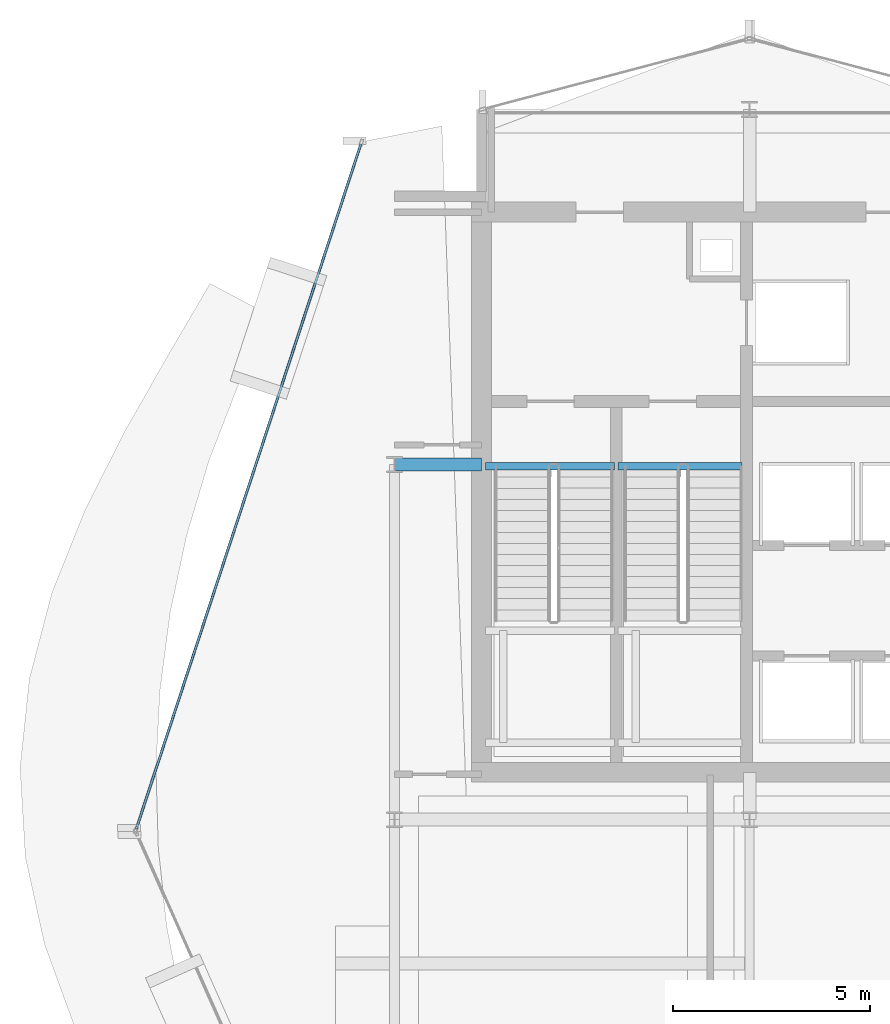
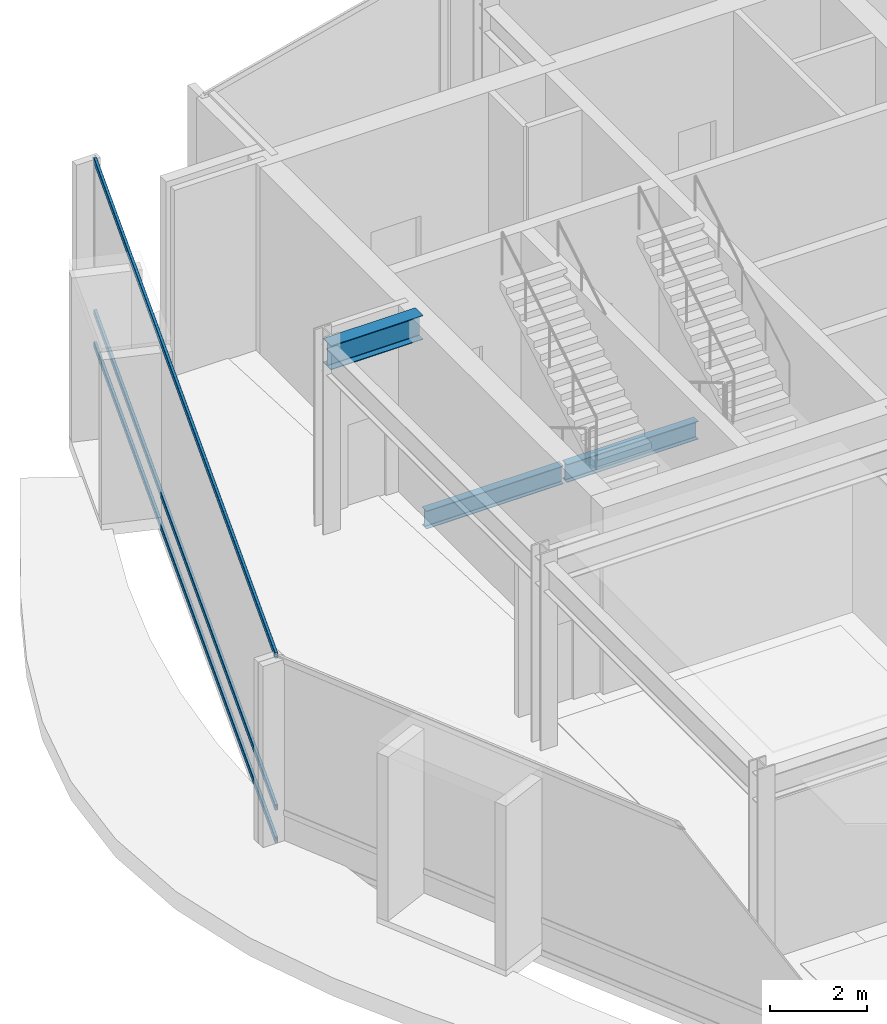
# One storey, part 15 of 28: 3 beams, 3 members, 1 element without a shape of its own.
"""IFC4 building model written with IfcOpenShell, lengths in metres."""

from ifc_helpers import new_model, si_unit, direction, frame, origin, origin_2d, place, context, subcontext, project, spatial, hollow_rectangle, i_section, extrude, material, layer, layer_set, material_profile, profile_set, type_object, element, aggregate, save


model = new_model("IFC4")

# Units and contexts
model_context = context("Model", 3, precision=1e-05, world=origin(), true_north=direction((0.0, 1.0)))
body_context = subcontext(model_context, "Body", "Model", "MODEL_VIEW")
ifc_project = project(units=[si_unit("LENGTHUNIT", "METRE"), si_unit("AREAUNIT", "SQUARE_METRE"), si_unit("VOLUMEUNIT", "CUBIC_METRE"), si_unit("PLANEANGLEUNIT", "RADIAN"), si_unit("MASSUNIT", "GRAM", prefix="KILO")], contexts=[model_context])

# Site, building, storey
site_placement = place(None, origin())
site = spatial("IfcSite", under=ifc_project, at=site_placement, CompositionType="ELEMENT")
building_placement = place(site_placement, origin())
building = spatial("IfcBuilding", under=site, at=building_placement, Name="Solvaryn Broadcast Tower", CompositionType="ELEMENT")
storey_placement = place(building_placement, frame((0.0, 0.0, 201.199951171875)))
storey = spatial("IfcBuildingStorey", under=building, at=storey_placement, Name="L50", CompositionType="ELEMENT", Elevation=201.199951171875)

# Beams
ifc_material_1 = material(Name="Steel ASTM A992 Grade 50", Category="steel")
ifc_material_profile_1 = material_profile(ifc_material_1, i_section(OverallWidth=0.323974609375, OverallDepth=0.611083984375, WebThickness=0.0126953125, FlangeThickness=0.01904296875, FilletRadius=0.014892578125, at=origin_2d()))
ifc_profile_set_1 = profile_set([ifc_material_profile_1], Name="Steel ASTM A992 Grade 50")
beam_type_1 = type_object("IfcBeamType", Name="BM-B1-W24X104", PredefinedType="BEAM", material=ifc_profile_set_1)
beam_1_placement = place(storey_placement, frame((9.0, 36.0, 4.41455078125), z_axis=(1.0, 0.0, 0.0), x_axis=(0.0, 1.0, 0.0)))
element("IfcBeam", 1, at=beam_1_placement, inside=storey, type_object=beam_type_1, Name="L50 Core Tie Beam CTW1", PredefinedType="BEAM", context=body_context, shape_type="SweptSolid", body=[
    extrude(i_section(OverallWidth=0.323974609375, OverallDepth=0.611083984375, WebThickness=0.0126953125, FlangeThickness=0.01904296875, FilletRadius=0.014892578125, at=origin_2d()), origin(), (0.0, 0.0, 1.0), 2.199951171875),
])
ifc_material_2 = material(Name="Steel ASTM A992 Grade 50", Category="steel")
ifc_material_profile_2 = material_profile(ifc_material_2, i_section(OverallWidth=0.18994140625, OverallDepth=0.45703125, WebThickness=0.009033203125, FlangeThickness=0.014404296875, FilletRadius=0.011962890625, at=origin_2d()))
ifc_profile_set_2 = profile_set([ifc_material_profile_2], Name="Steel ASTM A992 Grade 50")
beam_type_2 = type_object("IfcBeamType", Name="BM-B4-W18X50", PredefinedType="BEAM", material=ifc_profile_set_2)
beam_2_placement = place(storey_placement, frame((11.300048828125, 35.9599609375, -0.508544921875), z_axis=(1.0, 0.0, 0.0), x_axis=(0.0, 1.0, 0.0)))
element("IfcBeam", 2, at=beam_2_placement, inside=storey, type_object=beam_type_2, Name="L50 ST1 Stair Well Trimmer Beam", PredefinedType="BEAM", context=body_context, shape_type="SweptSolid", body=[
    extrude(i_section(OverallWidth=0.18994140625, OverallDepth=0.45703125, WebThickness=0.009033203125, FlangeThickness=0.014404296875, FilletRadius=0.011962890625, at=origin_2d()), origin(), (0.0, 0.0, 1.0), 3.280029296875),
])
beam_3_placement = place(storey_placement, frame((14.659912109375, 35.9599609375, -0.508544921875), z_axis=(1.0, 0.0, 0.0), x_axis=(0.0, 1.0, 0.0)))
element("IfcBeam", 3, at=beam_3_placement, inside=storey, type_object=beam_type_2, Name="L50 ST2 Stair Well Trimmer Beam", PredefinedType="BEAM", context=body_context, shape_type="SweptSolid", body=[
    extrude(i_section(OverallWidth=0.18994140625, OverallDepth=0.45703125, WebThickness=0.009033203125, FlangeThickness=0.014404296875, FilletRadius=0.011962890625, at=origin_2d()), origin(), (0.0, 0.0, 1.0), 3.14013671875),
])

# Curtain wall, members
ifc_material_3 = material(Name="Aluminium and Terracotta Unitised Curtain Wall", Category="masonry")
ifc_layer = layer(ifc_material_3, 0.199951171875)
ifc_layer_set = layer_set([ifc_layer], Name="CW-SYS2-LOWMID")
curtain_wall_type = type_object("IfcCurtainWallType", Name="CW-SYS2-LOWMID", PredefinedType="NOTDEFINED", material=ifc_layer_set)
curtain_wall_placement = place(storey_placement, origin())
curtain_wall = element("IfcCurtainWall", 4, at=curtain_wall_placement, inside=storey, type_object=curtain_wall_type, Name="L50 Curtain Wall DR1", PredefinedType="NOTDEFINED")
ifc_material_4 = material(Name="Anodised Aluminium 6063-T6", Category="aluminium")
ifc_material_profile_3 = material_profile(ifc_material_4, hollow_rectangle(XDim=0.06494140625, YDim=0.14990234375, WallThickness=0.00390625, InnerFilletRadius=0.00390625, OuterFilletRadius=0.008056640625, at=origin_2d()))
ifc_profile_set_3 = profile_set([ifc_material_profile_3], Name="Anodised Aluminium 6063-T6")
member_type = type_object("IfcMemberType", Name="CW-TRN-150", PredefinedType="USERDEFINED", material=ifc_profile_set_3)
member_1_placement = place(storey_placement, frame((8.144287109375, 44.125, 0.030029296875), z_axis=(-0.311557987209, -0.950227141586, 0.0), x_axis=(0.950227141586, -0.311557987209, 0.0)))
member_1 = element("IfcMember", 5, at=member_1_placement, type_object=member_type, Name="CWS2 transom 1.1", ObjectType="TRANSOM", PredefinedType="USERDEFINED", context=body_context, shape_type="SweptSolid", body=[
    extrude(hollow_rectangle(XDim=0.06494140625, YDim=0.14990234375, WallThickness=0.00390625, InnerFilletRadius=0.00390625, OuterFilletRadius=0.008056640625, at=origin_2d()), origin(), (0.0, 0.0, 1.0), 18.271484375),
])
member_2_placement = place(storey_placement, frame((8.144287109375, 44.125, 0.85009765625), z_axis=(-0.311557987209, -0.950227141586, 0.0), x_axis=(0.950227141586, -0.311557987209, 0.0)))
member_2 = element("IfcMember", 6, at=member_2_placement, type_object=member_type, Name="CWS2 transom 1.2", ObjectType="TRANSOM", PredefinedType="USERDEFINED", context=body_context, shape_type="SweptSolid", body=[
    extrude(hollow_rectangle(XDim=0.06494140625, YDim=0.14990234375, WallThickness=0.00390625, InnerFilletRadius=0.00390625, OuterFilletRadius=0.008056640625, at=origin_2d()), origin(), (0.0, 0.0, 1.0), 18.271484375),
])
member_3_placement = place(storey_placement, frame((8.144287109375, 44.125, 4.68994140625), z_axis=(-0.311557987209, -0.950227141586, 0.0), x_axis=(0.950227141586, -0.311557987209, 0.0)))
member_3 = element("IfcMember", 7, at=member_3_placement, type_object=member_type, Name="CWS2 transom 1.3", ObjectType="TRANSOM", PredefinedType="USERDEFINED", context=body_context, shape_type="SweptSolid", body=[
    extrude(hollow_rectangle(XDim=0.06494140625, YDim=0.14990234375, WallThickness=0.00390625, InnerFilletRadius=0.00390625, OuterFilletRadius=0.008056640625, at=origin_2d()), origin(), (0.0, 0.0, 1.0), 18.271484375),
])
aggregate(curtain_wall, [member_1, member_2, member_3])

save(model, "model.ifc")
